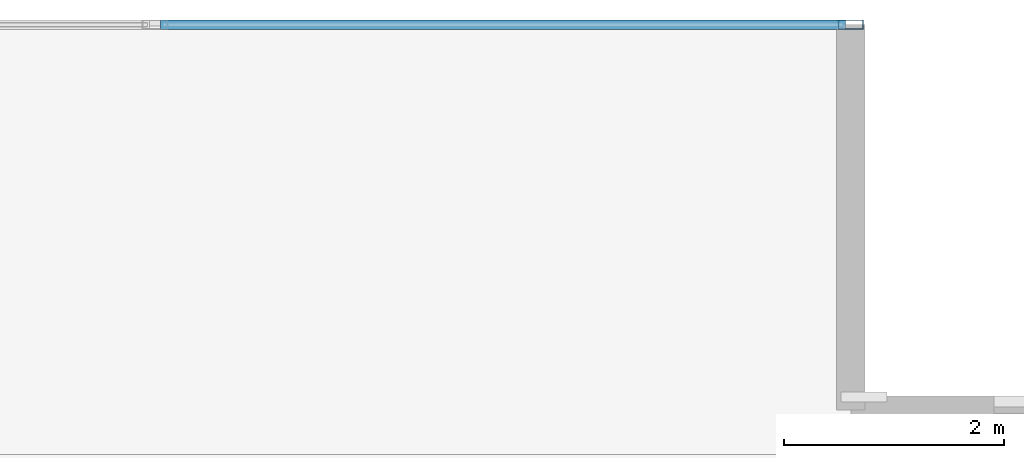
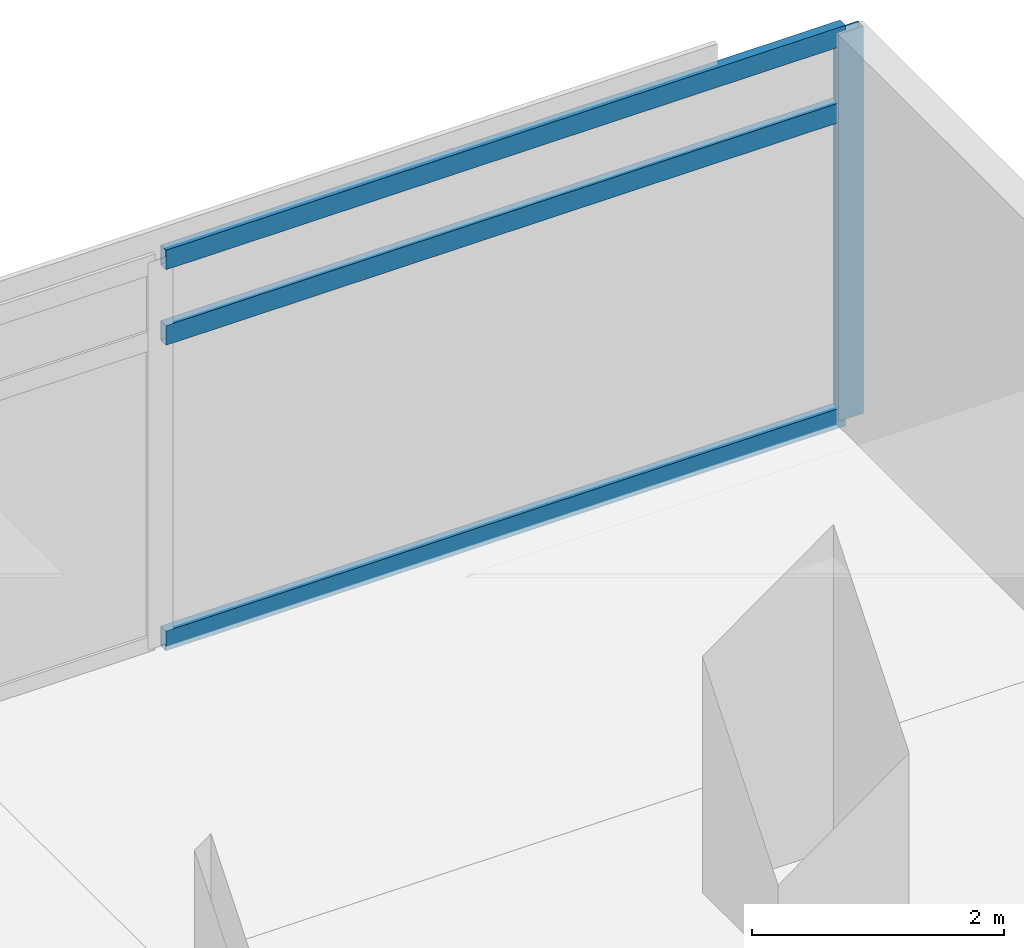
# One storey, part 13 of 24: 4 members, 1 element without a shape of its own.
"""IFC4 building model written with IfcOpenShell, lengths in metres."""

from ifc_helpers import new_model, si_unit, direction, frame, origin, origin_2d, place, context, subcontext, project, spatial, hollow_rectangle, extrude, material, material_profile, profile_set, type_object, element, aggregate, save


model = new_model("IFC4")

# Units and contexts
model_context = context("Model", 3, precision=1e-05, world=origin(), true_north=direction((0.0, 1.0)))
body_context = subcontext(model_context, "Body", "Model", "MODEL_VIEW")
ifc_project = project(units=[si_unit("LENGTHUNIT", "METRE"), si_unit("AREAUNIT", "SQUARE_METRE"), si_unit("VOLUMEUNIT", "CUBIC_METRE"), si_unit("PLANEANGLEUNIT", "RADIAN"), si_unit("MASSUNIT", "GRAM", prefix="KILO")], contexts=[model_context])

# Site, building, storey
site_placement = place(None, origin())
site = spatial("IfcSite", under=ifc_project, at=site_placement, CompositionType="ELEMENT")
building_placement = place(site_placement, origin())
building = spatial("IfcBuilding", under=site, at=building_placement, Name="Kovane Verandah Tower", CompositionType="ELEMENT")
storey_placement = place(building_placement, frame((0.0, 0.0, 271.199951171875)))
storey = spatial("IfcBuildingStorey", under=building, at=storey_placement, Name="L63", CompositionType="ELEMENT", Elevation=271.199951171875)

# Curtain wall, members
ifc_material_1 = material(Name="Champagne Anodised Aluminium Frame with Low-E Clear Laminated Glass", Category="aluminium")
curtain_wall_type = type_object("IfcCurtainWallType", Name="CW-SYS-05-HIGH", PredefinedType="NOTDEFINED", material=ifc_material_1)
curtain_wall_placement = place(storey_placement, origin())
curtain_wall = element("IfcCurtainWall", 1, at=curtain_wall_placement, inside=storey, type_object=curtain_wall_type, Name="L63 N Unitised Curtain Wall", PredefinedType="NOTDEFINED")
ifc_material_2 = material(Name="Champagne Anodised Aluminium 6063-T6", Category="aluminium")
ifc_material_profile_1 = material_profile(ifc_material_2, hollow_rectangle(XDim=0.0849609375, YDim=0.22998046875, WallThickness=0.00390625, at=origin_2d()), Name="AL85x230x4")
ifc_profile_set_1 = profile_set([ifc_material_profile_1], Name="Champagne Anodised Aluminium 6063-T6")
member_type_1 = type_object("IfcMemberType", Name="CW-MUL-85x230", PredefinedType="MULLION", material=ifc_profile_set_1)
member_1_placement = place(storey_placement, frame((62.107177734375, 49.94970703125, 0.02001953125), z_axis=(0.0, 0.0, 1.0), x_axis=(0.0, 1.0, 0.0)))
member_1 = element("IfcMember", 2, at=member_1_placement, type_object=member_type_1, Name="L63 N Unitised Curtain Wall Mullion 1", PredefinedType="MULLION", context=body_context, shape_type="SweptSolid", body=[
    extrude(hollow_rectangle(XDim=0.0849609375, YDim=0.22998046875, WallThickness=0.00390625, at=origin_2d()), origin(), (0.0, 0.0, 1.0), 3.7451171875),
])
ifc_material_profile_2 = material_profile(ifc_material_2, hollow_rectangle(XDim=0.0849609375, YDim=0.18994140625, WallThickness=0.00390625, at=origin_2d()), Name="AL85x190x4")
ifc_profile_set_2 = profile_set([ifc_material_profile_2], Name="Champagne Anodised Aluminium 6063-T6")
member_type_2 = type_object("IfcMemberType", Name="CW-TRN-85x190", PredefinedType="USERDEFINED", material=ifc_profile_set_2)
member_2_placement = place(storey_placement, frame((62.05712890625, 49.94970703125, 0.050048828125), z_axis=(-1.0, 0.0, 0.0), x_axis=(0.0, -1.0, 0.0)))
member_2 = element("IfcMember", 3, at=member_2_placement, type_object=member_type_2, Name="L63 N Unitised Curtain Wall Transom TB Bay 1", ObjectType="TRANSOM", PredefinedType="USERDEFINED", context=body_context, shape_type="SweptSolid", body=[
    extrude(hollow_rectangle(XDim=0.0849609375, YDim=0.18994140625, WallThickness=0.00390625, at=origin_2d()), origin(), (0.0, 0.0, 1.0), 6.21630859375),
])
member_3_placement = place(storey_placement, frame((62.05712890625, 49.94970703125, 3.005126953125), z_axis=(-1.0, 0.0, 0.0), x_axis=(0.0, -1.0, 0.0)))
member_3 = element("IfcMember", 4, at=member_3_placement, type_object=member_type_2, Name="L63 N Unitised Curtain Wall Transom TM Bay 1", ObjectType="TRANSOM", PredefinedType="USERDEFINED", context=body_context, shape_type="SweptSolid", body=[
    extrude(hollow_rectangle(XDim=0.0849609375, YDim=0.18994140625, WallThickness=0.00390625, at=origin_2d()), origin(), (0.0, 0.0, 1.0), 6.21630859375),
])
member_4_placement = place(storey_placement, frame((62.05712890625, 49.94970703125, 3.735107421875), z_axis=(-1.0, 0.0, 0.0), x_axis=(0.0, -1.0, 0.0)))
member_4 = element("IfcMember", 5, at=member_4_placement, type_object=member_type_2, Name="L63 N Unitised Curtain Wall Transom TT Bay 1", ObjectType="TRANSOM", PredefinedType="USERDEFINED", context=body_context, shape_type="SweptSolid", body=[
    extrude(hollow_rectangle(XDim=0.0849609375, YDim=0.18994140625, WallThickness=0.00390625, at=origin_2d()), origin(), (0.0, 0.0, 1.0), 6.21630859375),
])
aggregate(curtain_wall, [member_1, member_2, member_3, member_4])

save(model, "model.ifc")
